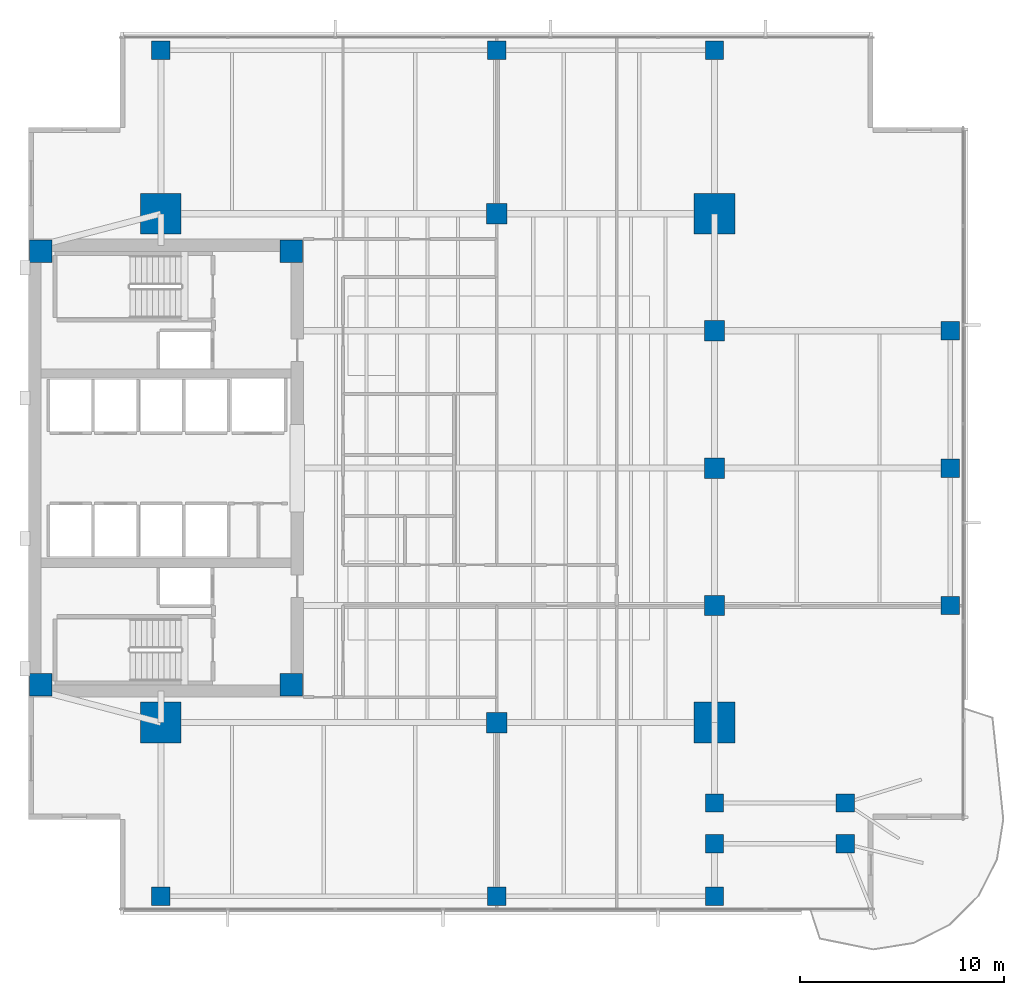
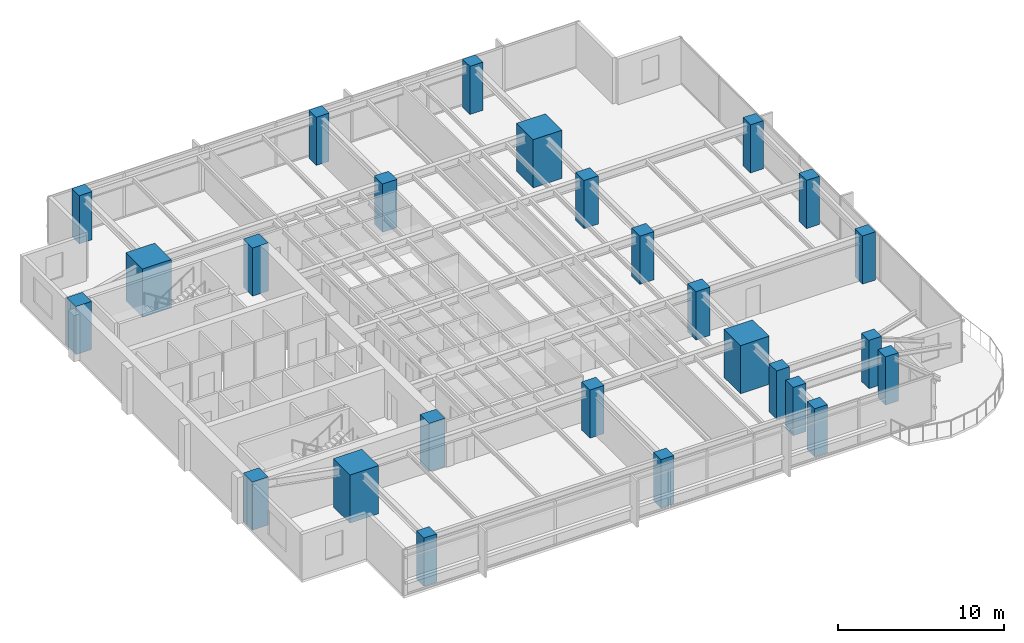
# One storey, part 1 of 14: 26 columns.
"""IFC4 building model written with IfcOpenShell, lengths in metres."""

from ifc_helpers import new_model, si_unit, direction, frame, origin, origin_2d, place, context, subcontext, project, spatial, rectangle, extrude, material, material_profile, profile_set, type_object, element, save


model = new_model("IFC4")

# Units and contexts
model_context = context("Model", 3, precision=1e-05, world=origin(), true_north=direction((0.0, 1.0)))
body_context = subcontext(model_context, "Body", "Model", "MODEL_VIEW")
ifc_project = project(units=[si_unit("LENGTHUNIT", "METRE"), si_unit("AREAUNIT", "SQUARE_METRE"), si_unit("VOLUMEUNIT", "CUBIC_METRE"), si_unit("PLANEANGLEUNIT", "RADIAN"), si_unit("MASSUNIT", "GRAM", prefix="KILO")], contexts=[model_context])

# Site, building, storey
site_placement = place(None, origin())
site = spatial("IfcSite", under=ifc_project, at=site_placement, CompositionType="ELEMENT")
building_placement = place(site_placement, origin())
building = spatial("IfcBuilding", under=site, at=building_placement, Name="Kinhvarn Gate Tower", CompositionType="ELEMENT")
storey_placement = place(building_placement, frame((0.0, 0.0, 137.75)))
storey = spatial("IfcBuildingStorey", under=building, at=storey_placement, Name="L36", CompositionType="ELEMENT", Elevation=137.75)

# Columns
ifc_material = material(Name="Concrete C60/75", Category="concrete")
ifc_material_profile_1 = material_profile(ifc_material, rectangle(XDim=2.0, YDim=2.0, at=origin_2d()), Name="RC 2000x2000")
ifc_profile_set_1 = profile_set([ifc_material_profile_1], Name="Concrete C60/75")
column_type_1 = type_object("IfcColumnType", Name="COL-MC-2000", PredefinedType="COLUMN", material=ifc_profile_set_1)
for number, where, z_axis, x_axis, name in (
    (1, (11.0, 12.75, 0.0), (0.0, 0.0, 1.0), (1.0, 0.0, 0.0), "Column MC1-L36 (MC-20)"),
    (2, (11.0, 37.75, 0.0), (0.0, 0.0, 1.0), (1.0, 0.0, 0.0), "Column MC4-L36 (MC-20)"),
    (3, (38.199951171875, 12.75, 0.0), (0.0, 0.0, 1.0), (1.0, 0.0, 0.0), "Column MC2-L36 (MC-20)"),
    (4, (38.199951171875, 37.75, 0.0), (0.0, 0.0, 1.0), (1.0, 0.0, 0.0), "Column MC3-L36 (MC-20)"),
):
    element("IfcColumn", number, at=place(storey_placement, frame(where, z_axis=z_axis, x_axis=x_axis)), inside=storey, type_object=column_type_1, Name=name, PredefinedType="COLUMN", context=body_context, shape_type="SweptSolid", body=[
        extrude(rectangle(XDim=2.0, YDim=2.0, at=origin_2d()), origin(), (0.0, 0.0, 1.0), 3.550048828125),
    ])
ifc_material_profile_2 = material_profile(ifc_material, rectangle(XDim=1.0, YDim=1.0, at=origin_2d()), Name="RC 1000x1000")
ifc_profile_set_2 = profile_set([ifc_material_profile_2], Name="Concrete C60/75")
column_type_2 = type_object("IfcColumnType", Name="COL-RC-1000", PredefinedType="COLUMN", material=ifc_profile_set_2)
for number, where, z_axis, x_axis, name in (
    (5, (27.5, 12.75, 0.0), (0.0, 0.0, 1.0), (1.0, 0.0, 0.0), "Column SP27-S-L36 (C-100)"),
    (6, (27.5, 37.75, 0.0), (0.0, 0.0, 1.0), (1.0, 0.0, 0.0), "Column SP27-N-L36 (C-100)"),
    (7, (38.199951171875, 18.5, 0.0), (0.0, 0.0, 1.0), (1.0, 0.0, 0.0), "Column SP38-E1-L36 (C-100)"),
    (8, (38.199951171875, 25.25, 0.0), (0.0, 0.0, 1.0), (1.0, 0.0, 0.0), "Column SP38-E2-L36 (C-100)"),
    (9, (38.199951171875, 32.0, 0.0), (0.0, 0.0, 1.0), (1.0, 0.0, 0.0), "Column SP38-E3-L36 (C-100)"),
):
    element("IfcColumn", number, at=place(storey_placement, frame(where, z_axis=z_axis, x_axis=x_axis)), inside=storey, type_object=column_type_2, Name=name, PredefinedType="COLUMN", context=body_context, shape_type="SweptSolid", body=[
        extrude(rectangle(XDim=1.0, YDim=1.0, at=origin_2d()), origin(), (0.0, 0.0, 1.0), 3.550048828125),
    ])
ifc_material_profile_3 = material_profile(ifc_material, rectangle(XDim=0.89990234375, YDim=0.89990234375, at=origin_2d()), Name="RC 900x900")
ifc_profile_set_3 = profile_set([ifc_material_profile_3], Name="Concrete C60/75")
column_type_3 = type_object("IfcColumnType", Name="COL-RC-900", PredefinedType="COLUMN", material=ifc_profile_set_3)
for number, where, z_axis, x_axis, name in (
    (10, (38.199951171875, 6.800048828125, 0.0), (0.0, 0.0, 1.0), (1.0, 0.0, 0.0), "Column CS-ANC68-L36 (C-090)"),
    (11, (38.199951171875, 8.800048828125, 0.0), (0.0, 0.0, 1.0), (1.0, 0.0, 0.0), "Column CS-ANC88-L36 (C-090)"),
    (12, (44.6201171875, 6.800048828125, 0.0), (0.0, 0.0, 1.0), (1.0, 0.0, 0.0), "Column CS-SE2-L36 (C-090)"),
    (13, (44.6201171875, 8.800048828125, 0.0), (0.0, 0.0, 1.0), (1.0, 0.0, 0.0), "Column CS-SE2B-L36 (C-090)"),
    (14, (49.780029296875, 18.5, 0.0), (0.0, 0.0, 1.0), (1.0, 0.0, 0.0), "Column CE-1-L36 (C-090)"),
    (15, (49.780029296875, 25.25, 0.0), (0.0, 0.0, 1.0), (1.0, 0.0, 0.0), "Column CE-2-L36 (C-090)"),
    (16, (49.780029296875, 32.0, 0.0), (0.0, 0.0, 1.0), (1.0, 0.0, 0.0), "Column CE-3-L36 (C-090)"),
    (17, (11.0, 4.219970703125, 0.0), (0.0, 0.0, 1.0), (1.0, 0.0, 0.0), "Column CS-0-L36 (C-090)"),
    (18, (27.5, 4.219970703125, 0.0), (0.0, 0.0, 1.0), (1.0, 0.0, 0.0), "Column CS-1-L36 (C-090)"),
    (19, (38.199951171875, 4.219970703125, 0.0), (0.0, 0.0, 1.0), (1.0, 0.0, 0.0), "Column CS-2-L36 (C-090)"),
    (20, (11.0, 45.780029296875, 0.0), (0.0, 0.0, 1.0), (1.0, 0.0, 0.0), "Column CN-0-L36 (C-090)"),
    (21, (27.5, 45.780029296875, 0.0), (0.0, 0.0, 1.0), (1.0, 0.0, 0.0), "Column CN-1-L36 (C-090)"),
    (22, (38.199951171875, 45.780029296875, 0.0), (0.0, 0.0, 1.0), (1.0, 0.0, 0.0), "Column CN-2-L36 (C-090)"),
):
    element("IfcColumn", number, at=place(storey_placement, frame(where, z_axis=z_axis, x_axis=x_axis)), inside=storey, type_object=column_type_3, Name=name, PredefinedType="COLUMN", context=body_context, shape_type="SweptSolid", body=[
        extrude(rectangle(XDim=0.89990234375, YDim=0.89990234375, at=origin_2d()), origin(), (0.0, 0.0, 1.0), 3.550048828125),
    ])
ifc_material_profile_4 = material_profile(ifc_material, rectangle(XDim=1.10009765625, YDim=1.10009765625, at=origin_2d()), Name="RC 1100x1100")
ifc_profile_set_4 = profile_set([ifc_material_profile_4], Name="Concrete C60/75")
column_type_4 = type_object("IfcColumnType", Name="PIL-RC-1100", PredefinedType="PILASTER", material=ifc_profile_set_4)
for number, where, z_axis, x_axis, name in (
    (23, (5.10009765625, 14.60009765625, 0.0), (0.0, 0.0, 1.0), (1.0, 0.0, 0.0), "Column CC-SW-L36 (CP-110)"),
    (24, (5.10009765625, 35.89990234375, 0.0), (0.0, 0.0, 1.0), (1.0, 0.0, 0.0), "Column CC-NW-L36 (CP-110)"),
    (25, (17.39990234375, 14.60009765625, 0.0), (0.0, 0.0, 1.0), (1.0, 0.0, 0.0), "Column CC-SE-L36 (CP-110)"),
    (26, (17.39990234375, 35.89990234375, 0.0), (0.0, 0.0, 1.0), (1.0, 0.0, 0.0), "Column CC-NE-L36 (CP-110)"),
):
    element("IfcColumn", number, at=place(storey_placement, frame(where, z_axis=z_axis, x_axis=x_axis)), inside=storey, type_object=column_type_4, Name=name, PredefinedType="PILASTER", context=body_context, shape_type="SweptSolid", body=[
        extrude(rectangle(XDim=1.10009765625, YDim=1.10009765625, at=origin_2d()), origin(), (0.0, 0.0, 1.0), 3.550048828125),
    ])

save(model, "model.ifc")
